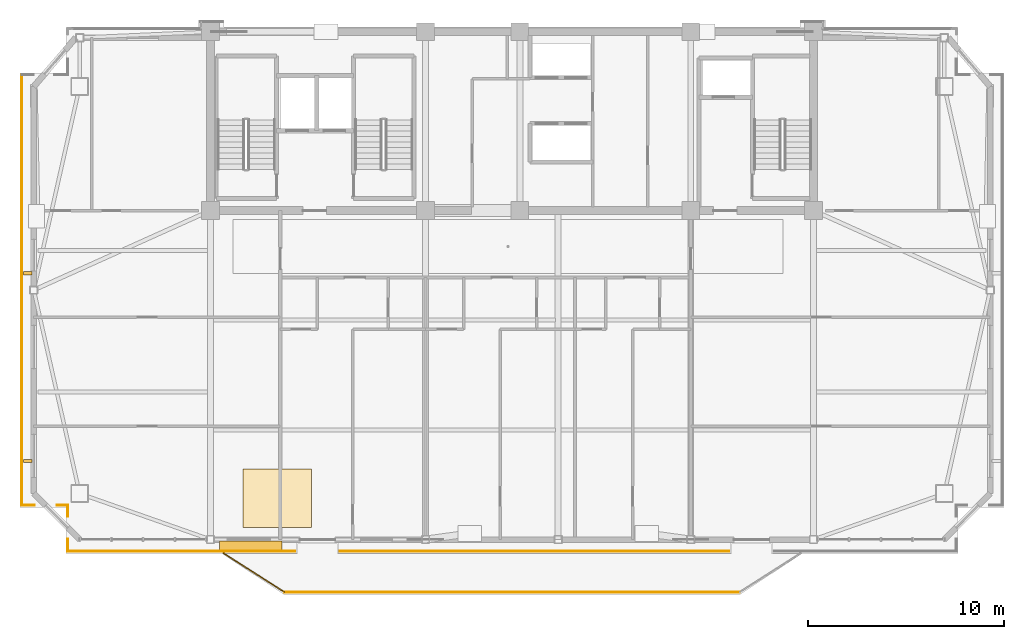
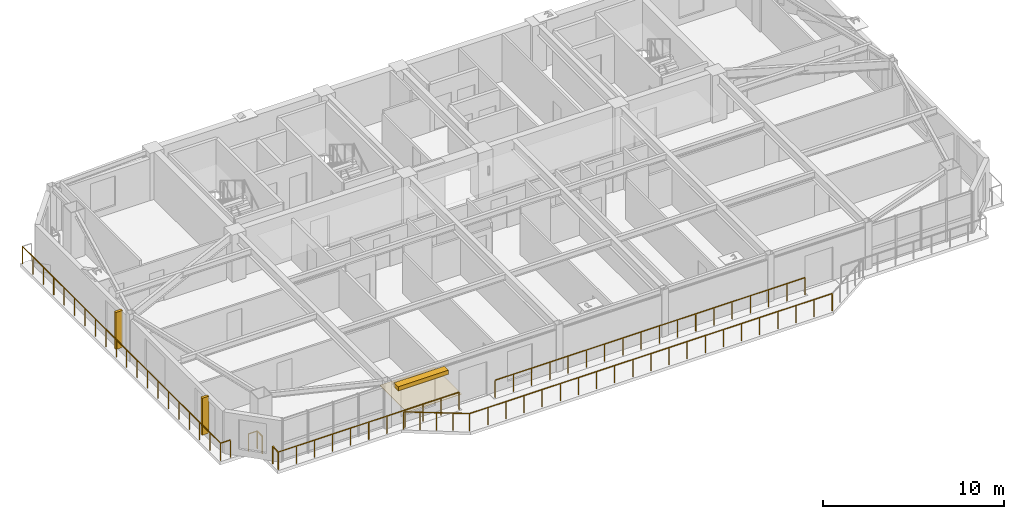
# One storey, part 11 of 14: 9 railings, 3 shading devices, 1 covering.
"""IFC4 building model written with IfcOpenShell, lengths in metres."""

import ifcopenshell
import ifcopenshell.guid

model = None  # the IFC model being written
_history = None  # IfcOwnerHistory: only IFC2X3 demands one
_inside = {}  # id of a spatial element -> (the spatial element, [elements in it])
_under = {}  # id of a project, library or spatial element -> (it, [spatial elements below it])
_declared = {}  # id of a project -> (the project, [libraries it declares])
_typed = {}  # id of a type object -> (the type object, [elements of that type])
_made_of = {}  # id of a material, layer set ... -> (it, [elements and type objects made of it])


def new_model(schema):
    """Start an empty IFC model of exactly this schema.

    Asked for "IFC4X3", IfcOpenShell would pick the latest addendum, in which some entities
    have other attributes; the version numbers below select the first issue.
    IFC2X3 requires an IfcOwnerHistory on every rooted entity: one is made here for all.
    """
    global model, _history
    if schema == "IFC4X3":
        model = ifcopenshell.file(schema_version=(4, 3, 0, 0))
    else:
        model = ifcopenshell.file(schema=schema)
    _inside.clear()
    _under.clear()
    _declared.clear()
    _typed.clear()
    _made_of.clear()
    _history = None
    if model.schema == "IFC2X3":
        org = make("IfcOrganization", Name="unknown")
        user = make(
            "IfcPersonAndOrganization",
            ThePerson=make("IfcPerson", FamilyName="unknown"),
            TheOrganization=org,
        )
        app = make(
            "IfcApplication",
            ApplicationDeveloper=org,
            Version="unknown",
            ApplicationFullName="unknown",
            ApplicationIdentifier="unknown",
        )
        _history = make(
            "IfcOwnerHistory",
            OwningUser=user,
            OwningApplication=app,
            ChangeAction="ADDED",
            CreationDate=0,
        )
    return model


def make(cls, **values):
    """One entity of the class cls with the attributes given. An attribute that is None is left unset."""
    return model.create_entity(
        cls, **{name: value for name, value in values.items() if value is not None}
    )


def rooted(cls, **values):
    """An entity with a GlobalId (a new one), such as an element, a storey or a relation."""
    return make(cls, GlobalId=ifcopenshell.guid.new(), OwnerHistory=_history, **values)


def si_unit(unit_type, name, prefix=None):
    """IfcSIUnit, for example si_unit("LENGTHUNIT", "METRE", prefix="MILLI")."""
    return make("IfcSIUnit", UnitType=unit_type, Prefix=prefix, Name=name)


def assignment(units):
    """IfcUnitAssignment: the units of a project."""
    return None if units is None else make("IfcUnitAssignment", Units=units)


def point(xyz):
    """IfcCartesianPoint."""
    return None if xyz is None else make("IfcCartesianPoint", Coordinates=xyz)


def direction(xyz):
    """IfcDirection."""
    return None if xyz is None else make("IfcDirection", DirectionRatios=xyz)


def frame(location, z_axis=None, x_axis=None):
    """IfcAxis2Placement3D, a coordinate frame: its origin and axes. An axis left out is left unset."""
    return make(
        "IfcAxis2Placement3D",
        Location=point(location),
        Axis=direction(z_axis),
        RefDirection=direction(x_axis),
    )


def frame_2d(location, x_axis=None):
    """IfcAxis2Placement2D, a coordinate frame in the plane: its origin and x axis."""
    return make(
        "IfcAxis2Placement2D", Location=point(location), RefDirection=direction(x_axis)
    )


def origin():
    """The frame at (0, 0, 0) with its axes left unset."""
    return frame((0.0, 0.0, 0.0))


def origin_2d():
    """The frame at (0, 0) in the plane with its x axis left unset."""
    return frame_2d((0.0, 0.0))


def place(relative_to, where):
    """IfcLocalPlacement: puts the frame where relative to a parent placement (None: the world)."""
    return make(
        "IfcLocalPlacement", PlacementRelTo=relative_to, RelativePlacement=where
    )


def context(
    kind, dimensions, precision=None, world=None, true_north=None, identifier=None
):
    """IfcGeometricRepresentationContext, for example the 3D "Model" context."""
    return make(
        "IfcGeometricRepresentationContext",
        ContextIdentifier=identifier,
        ContextType=kind,
        CoordinateSpaceDimension=dimensions,
        Precision=precision,
        WorldCoordinateSystem=world,
        TrueNorth=true_north,
    )


def subcontext(parent, identifier, kind, view, scale=None):
    """IfcGeometricRepresentationSubContext, for example "Body" below "Model"."""
    return make(
        "IfcGeometricRepresentationSubContext",
        ContextIdentifier=identifier,
        ContextType=kind,
        ParentContext=parent,
        TargetScale=scale,
        TargetView=view,
    )


def project(units=None, contexts=None):
    """IfcProject with its units and contexts."""
    return rooted(
        "IfcProject",
        Name="project",
        RepresentationContexts=contexts,
        UnitsInContext=assignment(units),
    )


def spatial(cls, under=None, at=None, **own):
    """A site, building, storey or space (cls), placed at a placement, below another one or the project."""
    s = rooted(cls, ObjectPlacement=at, **own)
    if under is not None:
        _under.setdefault(under.id(), (under, []))[1].append(s)
    return s


def polyline(points):
    """IfcPolyline through the points."""
    return make("IfcPolyline", Points=[point(p) for p in points])


def profile(cls, at=None, kind="AREA", **sizes):
    """A parametric profile (cls). Its sizes go by their IFC names, for example OverallWidth=200.0."""
    return make(cls, ProfileType=kind, Position=at, **sizes)


def rectangle(**sizes):
    """IfcRectangleProfileDef."""
    return profile("IfcRectangleProfileDef", **sizes)


def outline(outer, holes=None, kind="AREA"):
    """IfcArbitraryClosedProfileDef: a profile drawn as a closed curve; with holes, ...WithVoids."""
    if holes is None:
        return make("IfcArbitraryClosedProfileDef", ProfileType=kind, OuterCurve=outer)
    return make(
        "IfcArbitraryProfileDefWithVoids",
        ProfileType=kind,
        OuterCurve=outer,
        InnerCurves=holes,
    )


def extrude(swept, where, along, depth):
    """IfcExtrudedAreaSolid: the profile swept, set in the frame where, extruded along a direction by depth."""
    return make(
        "IfcExtrudedAreaSolid",
        SweptArea=swept,
        Position=where,
        ExtrudedDirection=direction(along),
        Depth=depth,
    )


def shape(context_of_items, identifier, shape_type, items):
    """IfcShapeRepresentation: the items that make up one representation, for example the "Body"."""
    return make(
        "IfcShapeRepresentation",
        ContextOfItems=context_of_items,
        RepresentationIdentifier=identifier,
        RepresentationType=shape_type,
        Items=items,
    )


def source(mapping_origin, context_of_items, identifier, shape_type, items):
    """IfcRepresentationMap: a shape defined once, which mapped items show again and again."""
    return make(
        "IfcRepresentationMap",
        MappingOrigin=mapping_origin,
        MappedRepresentation=shape(context_of_items, identifier, shape_type, items),
    )


def transform(
    local_origin,
    x_axis=None,
    y_axis=None,
    z_axis=None,
    scale=None,
    scale2=None,
    scale3=None,
    uniform=True,
):
    """IfcCartesianTransformationOperator3D, or its non-uniform kind. x_axis, y_axis, z_axis: its Axis1, 2, 3."""
    if uniform:
        return make(
            "IfcCartesianTransformationOperator3D",
            Axis1=direction(x_axis),
            Axis2=direction(y_axis),
            LocalOrigin=point(local_origin),
            Scale=scale,
            Axis3=direction(z_axis),
        )
    return make(
        "IfcCartesianTransformationOperator3DnonUniform",
        Axis1=direction(x_axis),
        Axis2=direction(y_axis),
        LocalOrigin=point(local_origin),
        Scale=scale,
        Axis3=direction(z_axis),
        Scale2=scale2,
        Scale3=scale3,
    )


def mapped(mapping_source, mapping_target):
    """IfcMappedItem: shows the shape of a source again, moved by a transform."""
    return make(
        "IfcMappedItem", MappingSource=mapping_source, MappingTarget=mapping_target
    )


def material(Name=None, Category=None):
    """IfcMaterial."""
    return make("IfcMaterial", Name=Name, Category=Category)


def layer(
    of_material, thickness, ventilated=None, Name=None, Category=None, Priority=None
):
    """IfcMaterialLayer: one layer of a wall or slab, of a material (None: an air gap)."""
    return make(
        "IfcMaterialLayer",
        Material=of_material,
        LayerThickness=thickness,
        IsVentilated=ventilated,
        Name=Name,
        Category=Category,
        Priority=Priority,
    )


def layer_set(layers, Name=None):
    """IfcMaterialLayerSet."""
    return make("IfcMaterialLayerSet", MaterialLayers=layers, LayerSetName=Name)


def made_of(thing, what):
    """Note that an element or type object is made of a material, layer set ...; save() writes the relation."""
    if what is not None:
        _made_of.setdefault(what.id(), (what, []))[1].append(thing)
    return thing


def type_object(cls, material=None, **own):
    """A type object (cls), such as IfcWallType, which elements share."""
    return made_of(rooted(cls, **own), material)


def element(
    cls,
    number,
    at=None,
    inside=None,
    cuts=None,
    type_object=None,
    material=None,
    context=None,
    identifier="Body",
    shape_type=None,
    held_by="IfcProductDefinitionShape",
    body=None,
    shapes=None,
    **own,
):
    """One element of the class cls, such as IfcWall. Its Tag is "e" and its number.

    at: its placement. inside: the storey or other place that contains it. cuts: it is an
    opening in that element (IfcRelVoidsElement). A single representation is given by context,
    identifier, shape_type and body (its items); several are given by shapes. held_by: the class
    of the entity that holds the representations. save() writes the other relations.
    """
    e = rooted(cls, Tag="e%d" % number, ObjectPlacement=at, **own)
    if body is not None:
        shapes = [shape(context, identifier, shape_type, body)]
    if shapes is not None:
        e.Representation = make(held_by, Representations=shapes)
    if inside is not None:
        _inside.setdefault(inside.id(), (inside, []))[1].append(e)
    if cuts is not None:
        rooted(
            "IfcRelVoidsElement", RelatingBuildingElement=cuts, RelatedOpeningElement=e
        )
    if type_object is not None:
        _typed.setdefault(type_object.id(), (type_object, []))[1].append(e)
    return made_of(e, material)


def aggregate(whole, parts):
    """IfcRelAggregates: a whole, such as a stair, and the parts it consists of."""
    return rooted("IfcRelAggregates", RelatingObject=whole, RelatedObjects=parts)


def save(model, path):
    """Write the relations noted so far, then the file.

    IfcRelAggregates (storeys below a building ...), IfcRelContainedInSpatialStructure (elements
    in a storey), IfcRelDefinesByType, IfcRelAssociatesMaterial and IfcRelDeclares: one each for
    every whole, place, type object, material and project.
    """
    for whole, parts in _under.values():
        aggregate(whole, parts)
    for where, things in _inside.values():
        rooted(
            "IfcRelContainedInSpatialStructure",
            RelatedElements=things,
            RelatingStructure=where,
        )
    for kind, things in _typed.values():
        rooted("IfcRelDefinesByType", RelatedObjects=things, RelatingType=kind)
    for what, things in _made_of.values():
        rooted("IfcRelAssociatesMaterial", RelatedObjects=things, RelatingMaterial=what)
    for by, libraries in _declared.values():
        rooted("IfcRelDeclares", RelatingContext=by, RelatedDefinitions=libraries)
    model.write(path)


model = new_model("IFC4")

# Units and contexts
model_context = context("Model", 3, precision=1e-05, world=origin(), true_north=direction((0.0, 1.0)))
body_context = subcontext(model_context, "Body", "Model", "MODEL_VIEW")
ifc_project = project(units=[si_unit("LENGTHUNIT", "METRE"), si_unit("AREAUNIT", "SQUARE_METRE"), si_unit("VOLUMEUNIT", "CUBIC_METRE"), si_unit("PLANEANGLEUNIT", "RADIAN"), si_unit("MASSUNIT", "GRAM", prefix="KILO")], contexts=[model_context])

# Site, building, storey
site_placement = place(None, origin())
site = spatial("IfcSite", under=ifc_project, at=site_placement, CompositionType="ELEMENT")
building_placement = place(site_placement, origin())
building = spatial("IfcBuilding", under=site, at=building_placement, Name="Giltprow Tower", CompositionType="ELEMENT")
storey_placement = place(building_placement, frame((0.0, 0.0, 314.199951171875)))
storey = spatial("IfcBuildingStorey", under=building, at=storey_placement, Name="L81", CompositionType="ELEMENT", Elevation=314.199951171875)

# Covering
ifc_material_1 = material(Name="Engineered oak", Category="wood")
ifc_layer = layer(ifc_material_1, 0.02490234375, Name="Engineered oak")
ifc_layer_set = layer_set([ifc_layer], Name="Engineered oak")
covering_type = type_object("IfcCoveringType", Name="COV-FLR-TIMBER", PredefinedType="FLOORING", material=ifc_layer_set)
covering_placement = place(storey_placement, origin())
element("IfcCovering", 1, at=covering_placement, inside=storey, type_object=covering_type, Name="L81 Residence Oak Parquet Flooring", PredefinedType="FLOORING", context=body_context, shape_type="SweptSolid", body=[
    extrude(outline(polyline([(21.5, 21.303955078125), (25.0, 21.303955078125), (25.0, 24.303955078125), (21.5, 24.303955078125), (21.5, 21.303955078125)])), origin(), (0.0, 0.0, 1.0), 0.025146484375),
])

# Railings
ifc_material_2 = material(Name="Anodized bronze", Category="metal")
railing_type = type_object("IfcRailingType", Name="RAIL-BALC-GUARD-1200", PredefinedType="BALUSTRADE", material=ifc_material_2)
railing_1_placement = place(storey_placement, frame((20.52001953125, 20.00390625, 0.0)))
element("IfcRailing", 2, at=railing_1_placement, inside=storey, type_object=railing_type, Name="L81 Waterfront Balcony Balustrade Seg 1", PredefinedType="BALUSTRADE", context=body_context, shape_type="SweptSolid", body=[
    extrude(rectangle(XDim=0.048095703125, YDim=0.048095703125, at=origin_2d()), frame((0.0, 0.0, 1.17578125), z_axis=(0.84277487735, -0.538266203757, 0.0), x_axis=(0.538266203757, 0.84277487735, 0.0)), (0.0, 0.0, 1.0), 3.678466796875),
    extrude(rectangle(XDim=0.0419921875, YDim=0.0419921875, at=origin_2d()), origin(), (0.0, 0.0, 1.0), 1.15185546875),
    extrude(rectangle(XDim=0.0419921875, YDim=0.0419921875, at=origin_2d()), frame((0.77490234375, -0.4951171875, 0.0)), (0.0, 0.0, 1.0), 1.15185546875),
    extrude(rectangle(XDim=0.0419921875, YDim=0.0419921875, at=origin_2d()), frame((1.550048828125, -0.989990234375, 0.0)), (0.0, 0.0, 1.0), 1.15185546875),
    extrude(rectangle(XDim=0.0419921875, YDim=0.0419921875, at=origin_2d()), frame((2.3251953125, -1.48486328125, 0.0)), (0.0, 0.0, 1.0), 1.15185546875),
    extrude(rectangle(XDim=0.0419921875, YDim=0.0419921875, at=origin_2d()), frame((3.10009765625, -1.97998046875, 0.0)), (0.0, 0.0, 1.0), 1.15185546875),
])
railing_2_placement = place(storey_placement, frame((23.6201171875, 18.02392578125, 0.0)))
element("IfcRailing", 3, at=railing_2_placement, inside=storey, type_object=railing_type, Name="L81 Waterfront Balcony Balustrade Seg 2", PredefinedType="BALUSTRADE", context=body_context, shape_type="SweptSolid", body=[
    extrude(rectangle(XDim=0.048095703125, YDim=0.048095703125, at=origin_2d()), frame((0.0, 0.0, 1.17578125), z_axis=(1.0, 0.0, 0.0), x_axis=(0.0, 1.0, 0.0)), (0.0, 0.0, 1.0), 23.159912109375),
    extrude(rectangle(XDim=0.0419921875, YDim=0.0419921875, at=origin_2d()), origin(), (0.0, 0.0, 1.0), 1.15185546875),
    extrude(rectangle(XDim=0.0419921875, YDim=0.0419921875, at=origin_2d()), frame((1.157958984375, 0.0, 0.0)), (0.0, 0.0, 1.0), 1.15185546875),
    extrude(rectangle(XDim=0.0419921875, YDim=0.0419921875, at=origin_2d()), frame((2.31591796875, 0.0, 0.0)), (0.0, 0.0, 1.0), 1.15185546875),
    extrude(rectangle(XDim=0.0419921875, YDim=0.0419921875, at=origin_2d()), frame((3.473876953125, 0.0, 0.0)), (0.0, 0.0, 1.0), 1.15185546875),
    extrude(rectangle(XDim=0.0419921875, YDim=0.0419921875, at=origin_2d()), frame((4.632080078125, 0.0, 0.0)), (0.0, 0.0, 1.0), 1.15185546875),
    extrude(rectangle(XDim=0.0419921875, YDim=0.0419921875, at=origin_2d()), frame((5.7900390625, 0.0, 0.0)), (0.0, 0.0, 1.0), 1.15185546875),
    extrude(rectangle(XDim=0.0419921875, YDim=0.0419921875, at=origin_2d()), frame((6.947998046875, 0.0, 0.0)), (0.0, 0.0, 1.0), 1.15185546875),
    extrude(rectangle(XDim=0.0419921875, YDim=0.0419921875, at=origin_2d()), frame((8.10595703125, 0.0, 0.0)), (0.0, 0.0, 1.0), 1.15185546875),
    extrude(rectangle(XDim=0.0419921875, YDim=0.0419921875, at=origin_2d()), frame((9.263916015625, 0.0, 0.0)), (0.0, 0.0, 1.0), 1.15185546875),
    extrude(rectangle(XDim=0.0419921875, YDim=0.0419921875, at=origin_2d()), frame((10.421875, 0.0, 0.0)), (0.0, 0.0, 1.0), 1.15185546875),
    extrude(rectangle(XDim=0.0419921875, YDim=0.0419921875, at=origin_2d()), frame((11.580078125, 0.0, 0.0)), (0.0, 0.0, 1.0), 1.15185546875),
    extrude(rectangle(XDim=0.0419921875, YDim=0.0419921875, at=origin_2d()), frame((12.738037109375, 0.0, 0.0)), (0.0, 0.0, 1.0), 1.15185546875),
    extrude(rectangle(XDim=0.0419921875, YDim=0.0419921875, at=origin_2d()), frame((13.89599609375, 0.0, 0.0)), (0.0, 0.0, 1.0), 1.15185546875),
    extrude(rectangle(XDim=0.0419921875, YDim=0.0419921875, at=origin_2d()), frame((15.053955078125, 0.0, 0.0)), (0.0, 0.0, 1.0), 1.15185546875),
    extrude(rectangle(XDim=0.0419921875, YDim=0.0419921875, at=origin_2d()), frame((16.2119140625, 0.0, 0.0)), (0.0, 0.0, 1.0), 1.15185546875),
    extrude(rectangle(XDim=0.0419921875, YDim=0.0419921875, at=origin_2d()), frame((17.369873046875, 0.0, 0.0)), (0.0, 0.0, 1.0), 1.15185546875),
    extrude(rectangle(XDim=0.0419921875, YDim=0.0419921875, at=origin_2d()), frame((18.52783203125, 0.0, 0.0)), (0.0, 0.0, 1.0), 1.15185546875),
    extrude(rectangle(XDim=0.0419921875, YDim=0.0419921875, at=origin_2d()), frame((19.68603515625, 0.0, 0.0)), (0.0, 0.0, 1.0), 1.15185546875),
    extrude(rectangle(XDim=0.0419921875, YDim=0.0419921875, at=origin_2d()), frame((20.843994140625, 0.0, 0.0)), (0.0, 0.0, 1.0), 1.15185546875),
    extrude(rectangle(XDim=0.0419921875, YDim=0.0419921875, at=origin_2d()), frame((22.001953125, 0.0, 0.0)), (0.0, 0.0, 1.0), 1.15185546875),
    extrude(rectangle(XDim=0.0419921875, YDim=0.0419921875, at=origin_2d()), frame((23.159912109375, 0.0, 0.0)), (0.0, 0.0, 1.0), 1.15185546875),
])
railing_3_placement = place(storey_placement, frame((46.25, 20.10400390625, 0.0)))
element("IfcRailing", 4, at=railing_3_placement, inside=storey, type_object=railing_type, Name="L81 Corner Apron Edge Balustrade 7", PredefinedType="BALUSTRADE", context=body_context, shape_type="SweptSolid", body=[
    extrude(rectangle(XDim=0.048095703125, YDim=0.048095703125, at=origin_2d()), frame((0.0, 0.0, 1.17578125), z_axis=(-1.0, 0.0, 0.0), x_axis=(0.0, -1.0, 0.0)), (0.0, 0.0, 1.0), 19.800048828125),
    extrude(rectangle(XDim=0.0419921875, YDim=0.0419921875, at=origin_2d()), origin(), (0.0, 0.0, 1.0), 1.15185546875),
    extrude(rectangle(XDim=0.0419921875, YDim=0.0419921875, at=origin_2d()), frame((-1.164794921875, 0.0, 0.0)), (0.0, 0.0, 1.0), 1.15185546875),
    extrude(rectangle(XDim=0.0419921875, YDim=0.0419921875, at=origin_2d()), frame((-2.329345703125, 0.0, 0.0)), (0.0, 0.0, 1.0), 1.15185546875),
    extrude(rectangle(XDim=0.0419921875, YDim=0.0419921875, at=origin_2d()), frame((-3.494140625, 0.0, 0.0)), (0.0, 0.0, 1.0), 1.15185546875),
    extrude(rectangle(XDim=0.0419921875, YDim=0.0419921875, at=origin_2d()), frame((-4.658935546875, 0.0, 0.0)), (0.0, 0.0, 1.0), 1.15185546875),
    extrude(rectangle(XDim=0.0419921875, YDim=0.0419921875, at=origin_2d()), frame((-5.823486328125, 0.0, 0.0)), (0.0, 0.0, 1.0), 1.15185546875),
    extrude(rectangle(XDim=0.0419921875, YDim=0.0419921875, at=origin_2d()), frame((-6.98828125, 0.0, 0.0)), (0.0, 0.0, 1.0), 1.15185546875),
    extrude(rectangle(XDim=0.0419921875, YDim=0.0419921875, at=origin_2d()), frame((-8.153076171875, 0.0, 0.0)), (0.0, 0.0, 1.0), 1.15185546875),
    extrude(rectangle(XDim=0.0419921875, YDim=0.0419921875, at=origin_2d()), frame((-9.317626953125, 0.0, 0.0)), (0.0, 0.0, 1.0), 1.15185546875),
    extrude(rectangle(XDim=0.0419921875, YDim=0.0419921875, at=origin_2d()), frame((-10.482421875, 0.0, 0.0)), (0.0, 0.0, 1.0), 1.15185546875),
    extrude(rectangle(XDim=0.0419921875, YDim=0.0419921875, at=origin_2d()), frame((-11.64697265625, 0.0, 0.0)), (0.0, 0.0, 1.0), 1.15185546875),
    extrude(rectangle(XDim=0.0419921875, YDim=0.0419921875, at=origin_2d()), frame((-12.811767578125, 0.0, 0.0)), (0.0, 0.0, 1.0), 1.15185546875),
    extrude(rectangle(XDim=0.0419921875, YDim=0.0419921875, at=origin_2d()), frame((-13.9765625, 0.0, 0.0)), (0.0, 0.0, 1.0), 1.15185546875),
    extrude(rectangle(XDim=0.0419921875, YDim=0.0419921875, at=origin_2d()), frame((-15.14111328125, 0.0, 0.0)), (0.0, 0.0, 1.0), 1.15185546875),
    extrude(rectangle(XDim=0.0419921875, YDim=0.0419921875, at=origin_2d()), frame((-16.305908203125, 0.0, 0.0)), (0.0, 0.0, 1.0), 1.15185546875),
    extrude(rectangle(XDim=0.0419921875, YDim=0.0419921875, at=origin_2d()), frame((-17.470703125, 0.0, 0.0)), (0.0, 0.0, 1.0), 1.15185546875),
    extrude(rectangle(XDim=0.0419921875, YDim=0.0419921875, at=origin_2d()), frame((-18.63525390625, 0.0, 0.0)), (0.0, 0.0, 1.0), 1.15185546875),
    extrude(rectangle(XDim=0.0419921875, YDim=0.0419921875, at=origin_2d()), frame((-19.800048828125, 0.0, 0.0)), (0.0, 0.0, 1.0), 1.15185546875),
])
railing_4_placement = place(storey_placement, frame((24.14990234375, 20.10400390625, 0.0)))
element("IfcRailing", 5, at=railing_4_placement, inside=storey, type_object=railing_type, Name="L81 Corner Apron Edge Balustrade 8", PredefinedType="BALUSTRADE", context=body_context, shape_type="SweptSolid", body=[
    extrude(rectangle(XDim=0.048095703125, YDim=0.048095703125, at=origin_2d()), frame((0.0, 0.0, 1.17578125), z_axis=(-1.0, 0.0, 0.0), x_axis=(0.0, -1.0, 0.0)), (0.0, 0.0, 1.0), 11.556884765625),
    extrude(rectangle(XDim=0.0419921875, YDim=0.0419921875, at=origin_2d()), origin(), (0.0, 0.0, 1.0), 1.15185546875),
    extrude(rectangle(XDim=0.0419921875, YDim=0.0419921875, at=origin_2d()), frame((-1.15576171875, 0.0, 0.0)), (0.0, 0.0, 1.0), 1.15185546875),
    extrude(rectangle(XDim=0.0419921875, YDim=0.0419921875, at=origin_2d()), frame((-2.311279296875, 0.0, 0.0)), (0.0, 0.0, 1.0), 1.15185546875),
    extrude(rectangle(XDim=0.0419921875, YDim=0.0419921875, at=origin_2d()), frame((-3.467041015625, 0.0, 0.0)), (0.0, 0.0, 1.0), 1.15185546875),
    extrude(rectangle(XDim=0.0419921875, YDim=0.0419921875, at=origin_2d()), frame((-4.622802734375, 0.0, 0.0)), (0.0, 0.0, 1.0), 1.15185546875),
    extrude(rectangle(XDim=0.0419921875, YDim=0.0419921875, at=origin_2d()), frame((-5.7783203125, 0.0, 0.0)), (0.0, 0.0, 1.0), 1.15185546875),
    extrude(rectangle(XDim=0.0419921875, YDim=0.0419921875, at=origin_2d()), frame((-6.93408203125, 0.0, 0.0)), (0.0, 0.0, 1.0), 1.15185546875),
    extrude(rectangle(XDim=0.0419921875, YDim=0.0419921875, at=origin_2d()), frame((-8.08984375, 0.0, 0.0)), (0.0, 0.0, 1.0), 1.15185546875),
    extrude(rectangle(XDim=0.0419921875, YDim=0.0419921875, at=origin_2d()), frame((-9.24560546875, 0.0, 0.0)), (0.0, 0.0, 1.0), 1.15185546875),
    extrude(rectangle(XDim=0.0419921875, YDim=0.0419921875, at=origin_2d()), frame((-10.401123046875, 0.0, 0.0)), (0.0, 0.0, 1.0), 1.15185546875),
    extrude(rectangle(XDim=0.0419921875, YDim=0.0419921875, at=origin_2d()), frame((-11.556884765625, 0.0, 0.0)), (0.0, 0.0, 1.0), 1.15185546875),
])
railing_5_placement = place(storey_placement, frame((12.593017578125, 20.10400390625, 0.0)))
element("IfcRailing", 6, at=railing_5_placement, inside=storey, type_object=railing_type, Name="L81 Corner Apron Edge Balustrade 9", PredefinedType="BALUSTRADE", context=body_context, shape_type="SweptSolid", body=[
    extrude(rectangle(XDim=0.048095703125, YDim=0.048095703125, at=origin_2d()), frame((0.0, 0.0, 1.17578125), z_axis=(0.0, 1.0, 0.0), x_axis=(-1.0, 0.0, 0.0)), (0.0, 0.0, 1.0), 0.6201171875),
    extrude(rectangle(XDim=0.0419921875, YDim=0.0419921875, at=origin_2d()), origin(), (0.0, 0.0, 1.0), 1.15185546875),
    extrude(rectangle(XDim=0.0419921875, YDim=0.0419921875, at=origin_2d()), frame((0.0, 0.6201171875, 0.0)), (0.0, 0.0, 1.0), 1.15185546875),
])
railing_6_placement = place(storey_placement, frame((12.593017578125, 21.884033203125, 0.0)))
element("IfcRailing", 7, at=railing_6_placement, inside=storey, type_object=railing_type, Name="L81 Corner Apron Edge Balustrade 10", PredefinedType="BALUSTRADE", context=body_context, shape_type="SweptSolid", body=[
    extrude(rectangle(XDim=0.048095703125, YDim=0.048095703125, at=origin_2d()), frame((0.0, 0.0, 1.17578125), z_axis=(0.0, 1.0, 0.0), x_axis=(-1.0, 0.0, 0.0)), (0.0, 0.0, 1.0), 0.557861328125),
    extrude(rectangle(XDim=0.0419921875, YDim=0.0419921875, at=origin_2d()), origin(), (0.0, 0.0, 1.0), 1.15185546875),
    extrude(rectangle(XDim=0.0419921875, YDim=0.0419921875, at=origin_2d()), frame((0.0, 0.557861328125, 0.0)), (0.0, 0.0, 1.0), 1.15185546875),
])
railing_7_placement = place(storey_placement, frame((12.593017578125, 22.44189453125, 0.0)))
element("IfcRailing", 8, at=railing_7_placement, inside=storey, type_object=railing_type, Name="L81 Corner Apron Edge Balustrade 11", PredefinedType="BALUSTRADE", context=body_context, shape_type="SweptSolid", body=[
    extrude(rectangle(XDim=0.048095703125, YDim=0.048095703125, at=origin_2d()), frame((0.0, 0.0, 1.17578125), z_axis=(-1.0, 0.0, 0.0), x_axis=(0.0, -1.0, 0.0)), (0.0, 0.0, 1.0), 0.55810546875),
    extrude(rectangle(XDim=0.0419921875, YDim=0.0419921875, at=origin_2d()), origin(), (0.0, 0.0, 1.0), 1.15185546875),
    extrude(rectangle(XDim=0.0419921875, YDim=0.0419921875, at=origin_2d()), frame((-0.55810546875, 0.0, 0.0)), (0.0, 0.0, 1.0), 1.15185546875),
])
railing_8_placement = place(storey_placement, frame((10.875, 22.44189453125, 0.0)))
element("IfcRailing", 9, at=railing_8_placement, inside=storey, type_object=railing_type, Name="L81 Corner Apron Edge Balustrade 12", PredefinedType="BALUSTRADE", context=body_context, shape_type="SweptSolid", body=[
    extrude(rectangle(XDim=0.048095703125, YDim=0.048095703125, at=origin_2d()), frame((0.0, 0.0, 1.17578125), z_axis=(-1.0, 0.0, 0.0), x_axis=(0.0, -1.0, 0.0)), (0.0, 0.0, 1.0), 0.6201171875),
    extrude(rectangle(XDim=0.0419921875, YDim=0.0419921875, at=origin_2d()), origin(), (0.0, 0.0, 1.0), 1.15185546875),
    extrude(rectangle(XDim=0.0419921875, YDim=0.0419921875, at=origin_2d()), frame((-0.6201171875, 0.0, 0.0)), (0.0, 0.0, 1.0), 1.15185546875),
])
railing_9_placement = place(storey_placement, frame((10.2548828125, 22.44189453125, 0.0)))
element("IfcRailing", 10, at=railing_9_placement, inside=storey, type_object=railing_type, Name="L81 Corner Apron Edge Balustrade 13", PredefinedType="BALUSTRADE", context=body_context, shape_type="SweptSolid", body=[
    extrude(rectangle(XDim=0.048095703125, YDim=0.048095703125, at=origin_2d()), frame((0.0, 0.0, 1.17578125), z_axis=(0.0, 1.0, 0.0), x_axis=(-1.0, 0.0, 0.0)), (0.0, 0.0, 1.0), 21.920166015625),
    extrude(rectangle(XDim=0.0419921875, YDim=0.0419921875, at=origin_2d()), origin(), (0.0, 0.0, 1.0), 1.15185546875),
    extrude(rectangle(XDim=0.0419921875, YDim=0.0419921875, at=origin_2d()), frame((0.0, 1.15380859375, 0.0)), (0.0, 0.0, 1.0), 1.15185546875),
    extrude(rectangle(XDim=0.0419921875, YDim=0.0419921875, at=origin_2d()), frame((0.0, 2.307373046875, 0.0)), (0.0, 0.0, 1.0), 1.15185546875),
    extrude(rectangle(XDim=0.0419921875, YDim=0.0419921875, at=origin_2d()), frame((0.0, 3.461181640625, 0.0)), (0.0, 0.0, 1.0), 1.15185546875),
    extrude(rectangle(XDim=0.0419921875, YDim=0.0419921875, at=origin_2d()), frame((0.0, 4.61474609375, 0.0)), (0.0, 0.0, 1.0), 1.15185546875),
    extrude(rectangle(XDim=0.0419921875, YDim=0.0419921875, at=origin_2d()), frame((0.0, 5.7685546875, 0.0)), (0.0, 0.0, 1.0), 1.15185546875),
    extrude(rectangle(XDim=0.0419921875, YDim=0.0419921875, at=origin_2d()), frame((0.0, 6.922119140625, 0.0)), (0.0, 0.0, 1.0), 1.15185546875),
    extrude(rectangle(XDim=0.0419921875, YDim=0.0419921875, at=origin_2d()), frame((0.0, 8.075927734375, 0.0)), (0.0, 0.0, 1.0), 1.15185546875),
    extrude(rectangle(XDim=0.0419921875, YDim=0.0419921875, at=origin_2d()), frame((0.0, 9.2294921875, 0.0)), (0.0, 0.0, 1.0), 1.15185546875),
    extrude(rectangle(XDim=0.0419921875, YDim=0.0419921875, at=origin_2d()), frame((0.0, 10.38330078125, 0.0)), (0.0, 0.0, 1.0), 1.15185546875),
    extrude(rectangle(XDim=0.0419921875, YDim=0.0419921875, at=origin_2d()), frame((0.0, 11.536865234375, 0.0)), (0.0, 0.0, 1.0), 1.15185546875),
    extrude(rectangle(XDim=0.0419921875, YDim=0.0419921875, at=origin_2d()), frame((0.0, 12.690673828125, 0.0)), (0.0, 0.0, 1.0), 1.15185546875),
    extrude(rectangle(XDim=0.0419921875, YDim=0.0419921875, at=origin_2d()), frame((0.0, 13.84423828125, 0.0)), (0.0, 0.0, 1.0), 1.15185546875),
    extrude(rectangle(XDim=0.0419921875, YDim=0.0419921875, at=origin_2d()), frame((0.0, 14.998046875, 0.0)), (0.0, 0.0, 1.0), 1.15185546875),
    extrude(rectangle(XDim=0.0419921875, YDim=0.0419921875, at=origin_2d()), frame((0.0, 16.151611328125, 0.0)), (0.0, 0.0, 1.0), 1.15185546875),
    extrude(rectangle(XDim=0.0419921875, YDim=0.0419921875, at=origin_2d()), frame((0.0, 17.305419921875, 0.0)), (0.0, 0.0, 1.0), 1.15185546875),
    extrude(rectangle(XDim=0.0419921875, YDim=0.0419921875, at=origin_2d()), frame((0.0, 18.458984375, 0.0)), (0.0, 0.0, 1.0), 1.15185546875),
    extrude(rectangle(XDim=0.0419921875, YDim=0.0419921875, at=origin_2d()), frame((0.0, 19.61279296875, 0.0)), (0.0, 0.0, 1.0), 1.15185546875),
    extrude(rectangle(XDim=0.0419921875, YDim=0.0419921875, at=origin_2d()), frame((0.0, 20.766357421875, 0.0)), (0.0, 0.0, 1.0), 1.15185546875),
    extrude(rectangle(XDim=0.0419921875, YDim=0.0419921875, at=origin_2d()), frame((0.0, 21.920166015625, 0.0)), (0.0, 0.0, 1.0), 1.15185546875),
])

# Shading devices
shading_device_type_1 = type_object("IfcShadingDeviceType", Name="SHD-FIN-420", PredefinedType="USERDEFINED", material=ifc_material_2)
shared_shape_1 = source(origin(), body_context, "Body", "SweptSolid", [
    extrude(rectangle(XDim=0.419921875, YDim=0.159912109375, at=origin_2d()), origin(), (0.0, 0.0, 1.0), 2.5),
])
for number, where, z_axis, x_axis, name in (
    (11, (10.554931640625, 24.7041015625, 0.35009765625), (0.0, 0.0, 1.0), (1.0, 0.0, 0.0), "L81 W Bronze Vertical Fin 1-1"),
    (12, (10.554931640625, 34.257080078125, 0.35009765625), (0.0, 0.0, 1.0), (1.0, 0.0, 0.0), "L81 W Bronze Vertical Fin 2-1"),
):
    element("IfcShadingDevice", number, at=place(storey_placement, frame(where, z_axis=z_axis, x_axis=x_axis)), inside=storey, type_object=shading_device_type_1, Name=name, ObjectType="FIN", PredefinedType="USERDEFINED", context=body_context, shape_type="MappedRepresentation", body=[
        mapped(shared_shape_1, transform((0.0, 0.0, 0.0), x_axis=(1.0, 0.0, 0.0), y_axis=(0.0, 1.0, 0.0), z_axis=(0.0, 0.0, 1.0), scale=1.0)),
    ])
shading_device_type_2 = type_object("IfcShadingDeviceType", Name="SHD-LOUVRE-320", PredefinedType="JALOUSIE", material=ifc_material_2)
shared_shape_2 = source(origin(), body_context, "Body", "SweptSolid", [
    extrude(rectangle(XDim=3.199951171875, YDim=0.449951171875, at=origin_2d()), origin(), (0.0, 0.0, 1.0), 0.280029296875),
])
shading_device_placement = place(storey_placement, frame((21.89990234375, 20.404052734375, 2.56005859375), z_axis=(0.0, 0.0, 1.0), x_axis=(1.0, 0.0, 0.0)))
element("IfcShadingDevice", 13, at=shading_device_placement, inside=storey, type_object=shading_device_type_2, Name="L81 Bronze Sunshade Louvre S-2", PredefinedType="JALOUSIE", context=body_context, shape_type="MappedRepresentation", body=[
    mapped(shared_shape_2, transform((0.0, 0.0, 0.0), x_axis=(1.0, 0.0, 0.0), y_axis=(0.0, 1.0, 0.0), z_axis=(0.0, 0.0, 1.0), scale=1.0)),
])

save(model, "model.ifc")
